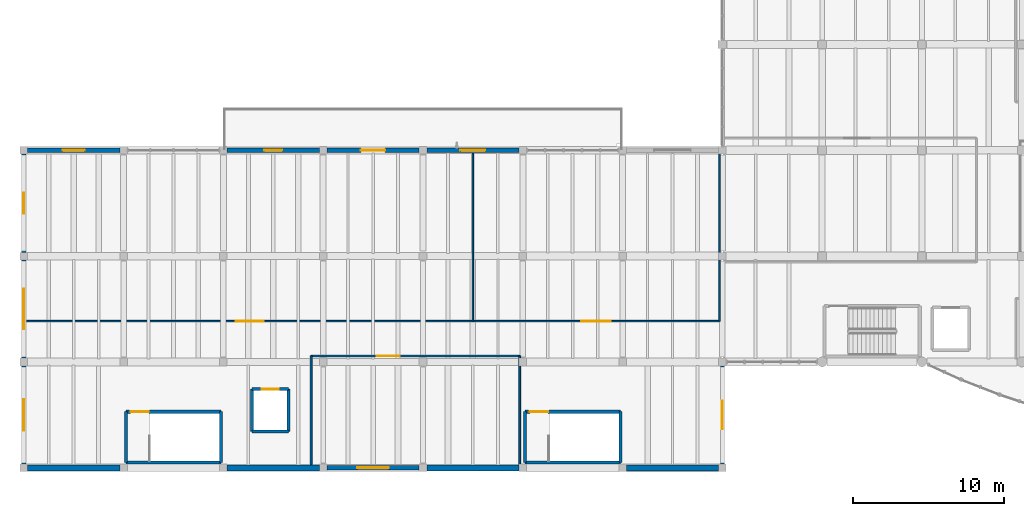
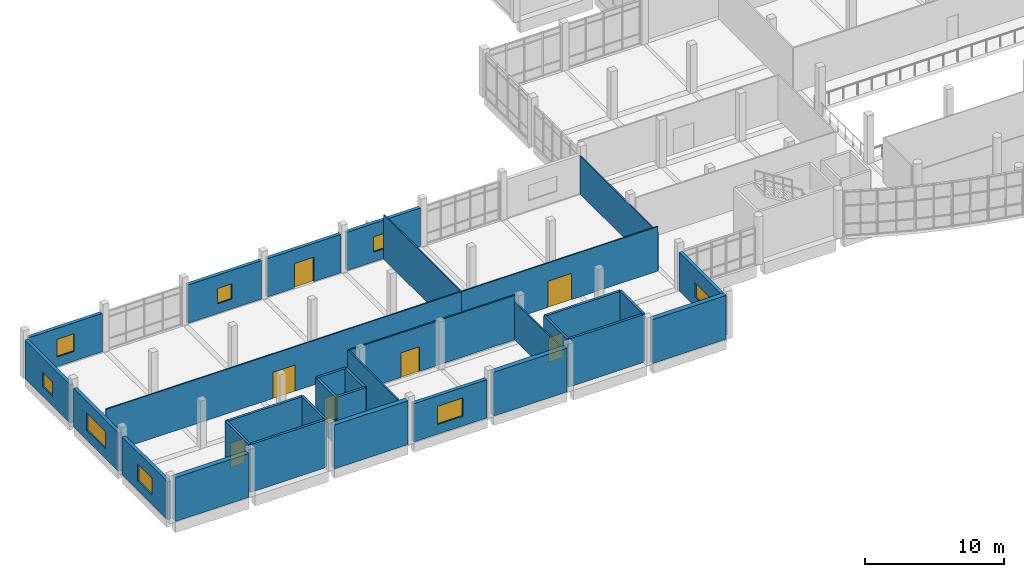
# One storey, part 47 of 65: 32 walls, 8 windows, 7 doors, 15 openings.
"""IFC4 building model written with IfcOpenShell, lengths in metres."""

from ifc_helpers import new_model, si_unit, direction, frame, frame_2d, origin, place, context, subcontext, project, spatial, rectangle, extrude, material, layer, layer_set, type_object, element, fill, save


model = new_model("IFC4")

# Units and contexts
model_context = context("Model", 3, precision=1e-05, world=origin(), true_north=direction((0.0, 1.0)))
body_context = subcontext(model_context, "Body", "Model", "MODEL_VIEW")
ifc_project = project(units=[si_unit("LENGTHUNIT", "METRE"), si_unit("AREAUNIT", "SQUARE_METRE"), si_unit("VOLUMEUNIT", "CUBIC_METRE"), si_unit("PLANEANGLEUNIT", "RADIAN"), si_unit("MASSUNIT", "GRAM", prefix="KILO")], contexts=[model_context])

# Site, building, storey
site_placement = place(None, origin())
site = spatial("IfcSite", under=ifc_project, at=site_placement, CompositionType="ELEMENT")
building_placement = place(site_placement, origin())
building = spatial("IfcBuilding", under=site, at=building_placement, Name="Ciguamira Faculty of Natural Sciences", CompositionType="ELEMENT")
storey_placement = place(building_placement, frame((0.0, 0.0, 12.60009765625)))
storey = spatial("IfcBuildingStorey", under=building, at=storey_placement, Name="L03", CompositionType="ELEMENT", Elevation=12.60009765625)

# Wall, opening, window
ifc_material_1 = material(Name="Precast concrete C40/50", Category="concrete")
ifc_layer_1 = layer(ifc_material_1, 0.280029296875, Name="Precast concrete C40/50")
ifc_layer_set_1 = layer_set([ifc_layer_1], Name="Precast concrete C40/50")
wall_type_1 = type_object("IfcWallType", Name="ExtWall_EW-01_280", PredefinedType="SOLIDWALL", material=ifc_layer_set_1)
wall_1_placement = place(storey_placement, frame((24.550048828125, 3.0, 0.0), z_axis=(0.0, 0.0, 1.0), x_axis=(1.0, 0.0, 0.0)))
wall_1 = element("IfcWall", 1, at=wall_1_placement, inside=storey, type_object=wall_type_1, Name="L03 exterior wall 0264", PredefinedType="SOLIDWALL", context=body_context, shape_type="SweptSolid", body=[
    extrude(rectangle(XDim=6.099853515625, YDim=0.280029296875, at=frame_2d((3.0498046875, 0.0))), origin(), (0.0, 0.0, 1.0), 3.364990234375),
])
opening_1_placement = place(wall_1_placement, frame((2.0, 0.0, 0.85009765625)))
opening_1 = element("IfcOpeningElement", 2, at=opening_1_placement, cuts=wall_1, Name="Opening WT-22", PredefinedType="OPENING", context=body_context, shape_type="SweptSolid", body=[
    extrude(rectangle(XDim=2.10009765625, YDim=1.60009765625, at=frame_2d((1.050048828125, 0.800048828125))), frame((0.0, 0.14990234375, 0.0), z_axis=(0.0, -1.0, 0.0), x_axis=(1.0, 0.0, 0.0)), (0.0, 0.0, 1.0), 0.300048828125),
])
ifc_material_2 = material(Name="Hurricane laminated solar glass", Category="glass")
window_type_1 = type_object("IfcWindowType", Name="Window_WT-22_2100x1600", PartitioningType="DOUBLE_PANEL_VERTICAL", PredefinedType="WINDOW", material=ifc_material_2)
window_1_placement = place(opening_1_placement, origin())
window_1 = element("IfcWindow", 3, at=window_1_placement, inside=storey, type_object=window_type_1, Name="L03 facade window 0167", OverallHeight=1.60009765625, OverallWidth=2.10009765625, PartitioningType="SINGLE_PANEL", PredefinedType="WINDOW", context=body_context, shape_type="SweptSolid", body=[
    extrude(rectangle(XDim=2.10009765625, YDim=1.60009765625, at=frame_2d((1.050048828125, 0.800048828125))), frame((0.0, 0.030029296875, 0.0), z_axis=(0.0, -1.0, 0.0), x_axis=(1.0, 0.0, 0.0)), (0.0, 0.0, 1.0), 0.06005859375),
])
fill(opening_1, window_1)

wall_2_placement = place(storey_placement, frame((4.75, 24.0, 0.0), z_axis=(0.0, 0.0, 1.0), x_axis=(1.0, 0.0, 0.0)))
wall_2 = element("IfcWall", 4, at=wall_2_placement, inside=storey, type_object=wall_type_1, Name="L03 exterior wall 0267", PredefinedType="SOLIDWALL", context=body_context, shape_type="SweptSolid", body=[
    extrude(rectangle(XDim=6.10009765625, YDim=0.280029296875, at=frame_2d((3.050048828125, 0.0))), origin(), (0.0, 0.0, 1.0), 3.364990234375),
])
opening_2_placement = place(wall_2_placement, frame((2.324951171875, 0.0, 0.85009765625)))
opening_2 = element("IfcOpeningElement", 5, at=opening_2_placement, cuts=wall_2, Name="Opening WT-38", PredefinedType="OPENING", context=body_context, shape_type="SweptSolid", body=[
    extrude(rectangle(XDim=1.449951171875, YDim=1.550048828125, at=frame_2d((0.72509765625, 0.77490234375))), frame((0.0, 0.14990234375, 0.0), z_axis=(0.0, -1.0, 0.0), x_axis=(1.0, 0.0, 0.0)), (0.0, 0.0, 1.0), 0.300048828125),
])
window_type_2 = type_object("IfcWindowType", Name="Window_WT-38_1450x1550", PartitioningType="DOUBLE_PANEL_VERTICAL", PredefinedType="WINDOW", material=ifc_material_2)
window_2_placement = place(opening_2_placement, origin())
window_2 = element("IfcWindow", 6, at=window_2_placement, inside=storey, type_object=window_type_2, Name="L03 facade window 0168", OverallHeight=1.550048828125, OverallWidth=1.449951171875, PartitioningType="SINGLE_PANEL", PredefinedType="WINDOW", context=body_context, shape_type="SweptSolid", body=[
    extrude(rectangle(XDim=1.449951171875, YDim=1.550048828125, at=frame_2d((0.72509765625, 0.77490234375))), frame((0.0, 0.030029296875, 0.0), z_axis=(0.0, -1.0, 0.0), x_axis=(1.0, 0.0, 0.0)), (0.0, 0.0, 1.0), 0.06005859375),
])
fill(opening_2, window_2)

wall_3_placement = place(storey_placement, frame((17.949951171875, 24.0, 0.0), z_axis=(0.0, 0.0, 1.0), x_axis=(1.0, 0.0, 0.0)))
wall_3 = element("IfcWall", 7, at=wall_3_placement, inside=storey, type_object=wall_type_1, Name="L03 exterior wall 0268", PredefinedType="SOLIDWALL", context=body_context, shape_type="SweptSolid", body=[
    extrude(rectangle(XDim=6.10009765625, YDim=0.280029296875, at=frame_2d((3.050048828125, 0.0))), origin(), (0.0, 0.0, 1.0), 3.364990234375),
])
opening_3_placement = place(wall_3_placement, frame((2.449951171875, 0.0, 0.85009765625)))
opening_3 = element("IfcOpeningElement", 8, at=opening_3_placement, cuts=wall_3, Name="Opening WT-01", PredefinedType="OPENING", context=body_context, shape_type="SweptSolid", body=[
    extrude(rectangle(XDim=1.199951171875, YDim=1.35009765625, at=frame_2d((0.60009765625, 0.675048828125))), frame((0.0, 0.14990234375, 0.0), z_axis=(0.0, -1.0, 0.0), x_axis=(1.0, 0.0, 0.0)), (0.0, 0.0, 1.0), 0.300048828125),
])
window_type_3 = type_object("IfcWindowType", Name="Window_WT-01_1200x1350", PartitioningType="DOUBLE_PANEL_VERTICAL", PredefinedType="WINDOW", material=ifc_material_2)
window_3_placement = place(opening_3_placement, origin())
window_3 = element("IfcWindow", 9, at=window_3_placement, inside=storey, type_object=window_type_3, Name="L03 facade window 0169", OverallHeight=1.35009765625, OverallWidth=1.199951171875, PartitioningType="SINGLE_PANEL", PredefinedType="WINDOW", context=body_context, shape_type="SweptSolid", body=[
    extrude(rectangle(XDim=1.199951171875, YDim=1.35009765625, at=frame_2d((0.60009765625, 0.675048828125))), frame((0.0, 0.030029296875, 0.0), z_axis=(0.0, -1.0, 0.0), x_axis=(1.0, 0.0, 0.0)), (0.0, 0.0, 1.0), 0.06005859375),
])
fill(opening_3, window_3)

# Wall, opening, door
wall_4_placement = place(storey_placement, frame((24.550048828125, 24.0, 0.0), z_axis=(0.0, 0.0, 1.0), x_axis=(1.0, 0.0, 0.0)))
wall_4 = element("IfcWall", 10, at=wall_4_placement, inside=storey, type_object=wall_type_1, Name="L03 exterior wall 0269", PredefinedType="SOLIDWALL", context=body_context, shape_type="SweptSolid", body=[
    extrude(rectangle(XDim=6.099853515625, YDim=0.280029296875, at=frame_2d((3.0498046875, 0.0))), origin(), (0.0, 0.0, 1.0), 3.364990234375),
])
opening_4_placement = place(wall_4_placement, frame((2.25, 0.0, 0.0)))
opening_4 = element("IfcOpeningElement", 11, at=opening_4_placement, cuts=wall_4, Name="Opening ED-05", PredefinedType="OPENING", context=body_context, shape_type="SweptSolid", body=[
    extrude(rectangle(XDim=1.60009765625, YDim=2.14990234375, at=frame_2d((0.800048828125, 1.074951171875))), frame((0.0, 0.14990234375, 0.0), z_axis=(0.0, -1.0, 0.0), x_axis=(1.0, 0.0, 0.0)), (0.0, 0.0, 1.0), 0.300048828125),
])
ifc_material_3 = material(Name="Terrace glazed double access door")
door_type_1 = type_object("IfcDoorType", Name="ExtDoor_ED-05_1600x2150", OperationType="NOTDEFINED", PredefinedType="DOOR", material=ifc_material_3)
door_1_placement = place(opening_4_placement, origin())
door_1 = element("IfcDoor", 12, at=door_1_placement, inside=storey, type_object=door_type_1, Name="Commons North Reading Terrace Door", OperationType="DOUBLE_DOOR_SINGLE_SWING", OverallHeight=2.14990234375, OverallWidth=1.60009765625, PredefinedType="DOOR", context=body_context, shape_type="SweptSolid", body=[
    extrude(rectangle(XDim=1.60009765625, YDim=2.14990234375, at=frame_2d((0.800048828125, 1.074951171875))), frame((0.0, 0.02490234375, 0.0), z_axis=(0.0, -1.0, 0.0), x_axis=(1.0, 0.0, 0.0)), (0.0, 0.0, 1.0), 0.050048828125),
])
fill(opening_4, door_1)

# Wall, opening, window
wall_5_placement = place(storey_placement, frame((31.14990234375, 24.0, 0.0), z_axis=(0.0, 0.0, 1.0), x_axis=(1.0, 0.0, 0.0)))
wall_5 = element("IfcWall", 13, at=wall_5_placement, inside=storey, type_object=wall_type_1, Name="L03 exterior wall 0270", PredefinedType="SOLIDWALL", context=body_context, shape_type="SweptSolid", body=[
    extrude(rectangle(XDim=6.10009765625, YDim=0.280029296875, at=frame_2d((3.050048828125, 0.0))), origin(), (0.0, 0.0, 1.0), 3.364990234375),
])
opening_5_placement = place(wall_5_placement, frame((2.22509765625, 0.0, 0.85009765625)))
opening_5 = element("IfcOpeningElement", 14, at=opening_5_placement, cuts=wall_5, Name="Opening WT-04", PredefinedType="OPENING", context=body_context, shape_type="SweptSolid", body=[
    extrude(rectangle(XDim=1.64990234375, YDim=1.35009765625, at=frame_2d((0.824951171875, 0.675048828125))), frame((0.0, 0.14990234375, 0.0), z_axis=(0.0, -1.0, 0.0), x_axis=(1.0, 0.0, 0.0)), (0.0, 0.0, 1.0), 0.300048828125),
])
window_type_4 = type_object("IfcWindowType", Name="Window_WT-04_1650x1350", PartitioningType="DOUBLE_PANEL_VERTICAL", PredefinedType="WINDOW", material=ifc_material_2)
window_4_placement = place(opening_5_placement, origin())
window_4 = element("IfcWindow", 15, at=window_4_placement, inside=storey, type_object=window_type_4, Name="L03 facade window 0170", OverallHeight=1.35009765625, OverallWidth=1.64990234375, PartitioningType="SINGLE_PANEL", PredefinedType="WINDOW", context=body_context, shape_type="SweptSolid", body=[
    extrude(rectangle(XDim=1.64990234375, YDim=1.35009765625, at=frame_2d((0.824951171875, 0.675048828125))), frame((0.0, 0.030029296875, 0.0), z_axis=(0.0, -1.0, 0.0), x_axis=(1.0, 0.0, 0.0)), (0.0, 0.0, 1.0), 0.06005859375),
])
fill(opening_5, window_4)

wall_6_placement = place(storey_placement, frame((4.5, 3.25, 0.0), z_axis=(0.0, 0.0, 1.0), x_axis=(0.0, 1.0, 0.0)))
wall_6 = element("IfcWall", 16, at=wall_6_placement, inside=storey, type_object=wall_type_1, Name="L03 exterior wall 0287", PredefinedType="SOLIDWALL", context=body_context, shape_type="SweptSolid", body=[
    extrude(rectangle(XDim=6.5, YDim=0.280029296875, at=frame_2d((3.25, 0.0))), origin(), (0.0, 0.0, 1.0), 3.364990234375),
])
opening_6_placement = place(wall_6_placement, frame((2.199951171875, 0.0, 0.85009765625)))
opening_6 = element("IfcOpeningElement", 17, at=opening_6_placement, cuts=wall_6, Name="Opening WT-11", PredefinedType="OPENING", context=body_context, shape_type="SweptSolid", body=[
    extrude(rectangle(XDim=2.10009765625, YDim=1.5, at=frame_2d((1.050048828125, 0.75))), frame((0.0, 0.14990234375, 0.0), z_axis=(0.0, -1.0, 0.0), x_axis=(1.0, 0.0, 0.0)), (0.0, 0.0, 1.0), 0.300048828125),
])
window_type_5 = type_object("IfcWindowType", Name="Window_WT-11_2100x1500", PartitioningType="DOUBLE_PANEL_VERTICAL", PredefinedType="WINDOW", material=ifc_material_2)
window_5_placement = place(opening_6_placement, origin())
window_5 = element("IfcWindow", 18, at=window_5_placement, inside=storey, type_object=window_type_5, Name="L03 facade window 0183", OverallHeight=1.5, OverallWidth=2.10009765625, PartitioningType="SINGLE_PANEL", PredefinedType="WINDOW", context=body_context, shape_type="SweptSolid", body=[
    extrude(rectangle(XDim=2.10009765625, YDim=1.5, at=frame_2d((1.050048828125, 0.75))), frame((0.0, 0.030029296875, 0.0), z_axis=(0.0, -1.0, 0.0), x_axis=(1.0, 0.0, 0.0)), (0.0, 0.0, 1.0), 0.06005859375),
])
fill(opening_6, window_5)

wall_7_placement = place(storey_placement, frame((4.5, 10.25, 0.0), z_axis=(0.0, 0.0, 1.0), x_axis=(0.0, 1.0, 0.0)))
wall_7 = element("IfcWall", 19, at=wall_7_placement, inside=storey, type_object=wall_type_1, Name="L03 exterior wall 0288", PredefinedType="SOLIDWALL", context=body_context, shape_type="SweptSolid", body=[
    extrude(rectangle(XDim=6.5, YDim=0.280029296875, at=frame_2d((3.25, 0.0))), origin(), (0.0, 0.0, 1.0), 3.364990234375),
])
opening_7_placement = place(wall_7_placement, frame((1.89990234375, 0.0, 0.85009765625)))
opening_7 = element("IfcOpeningElement", 20, at=opening_7_placement, cuts=wall_7, Name="Opening WT-13", PredefinedType="OPENING", context=body_context, shape_type="SweptSolid", body=[
    extrude(rectangle(XDim=2.699951171875, YDim=1.5, at=frame_2d((1.35009765625, 0.75))), frame((0.0, 0.14990234375, 0.0), z_axis=(0.0, -1.0, 0.0), x_axis=(1.0, 0.0, 0.0)), (0.0, 0.0, 1.0), 0.300048828125),
])
window_type_6 = type_object("IfcWindowType", Name="Window_WT-13_2700x1500", PartitioningType="DOUBLE_PANEL_VERTICAL", PredefinedType="WINDOW", material=ifc_material_2)
window_6_placement = place(opening_7_placement, origin())
window_6 = element("IfcWindow", 21, at=window_6_placement, inside=storey, type_object=window_type_6, Name="L03 facade window 0184", OverallHeight=1.5, OverallWidth=2.699951171875, PartitioningType="SINGLE_PANEL", PredefinedType="WINDOW", context=body_context, shape_type="SweptSolid", body=[
    extrude(rectangle(XDim=2.699951171875, YDim=1.5, at=frame_2d((1.35009765625, 0.75))), frame((0.0, 0.030029296875, 0.0), z_axis=(0.0, -1.0, 0.0), x_axis=(1.0, 0.0, 0.0)), (0.0, 0.0, 1.0), 0.06005859375),
])
fill(opening_7, window_6)

wall_8_placement = place(storey_placement, frame((4.5, 17.25, 0.0), z_axis=(0.0, 0.0, 1.0), x_axis=(0.0, 1.0, 0.0)))
wall_8 = element("IfcWall", 22, at=wall_8_placement, inside=storey, type_object=wall_type_1, Name="L03 exterior wall 0289", PredefinedType="SOLIDWALL", context=body_context, shape_type="SweptSolid", body=[
    extrude(rectangle(XDim=6.5, YDim=0.280029296875, at=frame_2d((3.25, 0.0))), origin(), (0.0, 0.0, 1.0), 3.364990234375),
])
opening_8_placement = place(wall_8_placement, frame((2.550048828125, 0.0, 0.85009765625)))
opening_8 = element("IfcOpeningElement", 23, at=opening_8_placement, cuts=wall_8, Name="Opening WT-15", PredefinedType="OPENING", context=body_context, shape_type="SweptSolid", body=[
    extrude(rectangle(XDim=1.39990234375, YDim=1.25, at=frame_2d((0.699951171875, 0.625))), frame((0.0, 0.14990234375, 0.0), z_axis=(0.0, -1.0, 0.0), x_axis=(1.0, 0.0, 0.0)), (0.0, 0.0, 1.0), 0.300048828125),
])
window_type_7 = type_object("IfcWindowType", Name="Window_WT-15_1400x1250", PartitioningType="DOUBLE_PANEL_VERTICAL", PredefinedType="WINDOW", material=ifc_material_2)
window_7_placement = place(opening_8_placement, origin())
window_7 = element("IfcWindow", 24, at=window_7_placement, inside=storey, type_object=window_type_7, Name="L03 facade window 0185", OverallHeight=1.25, OverallWidth=1.39990234375, PartitioningType="SINGLE_PANEL", PredefinedType="WINDOW", context=body_context, shape_type="SweptSolid", body=[
    extrude(rectangle(XDim=1.39990234375, YDim=1.25, at=frame_2d((0.699951171875, 0.625))), frame((0.0, 0.030029296875, 0.0), z_axis=(0.0, -1.0, 0.0), x_axis=(1.0, 0.0, 0.0)), (0.0, 0.0, 1.0), 0.06005859375),
])
fill(opening_8, window_7)

wall_9_placement = place(storey_placement, frame((50.699951171875, 3.25, 0.0), z_axis=(0.0, 0.0, 1.0), x_axis=(0.0, 1.0, 0.0)))
wall_9 = element("IfcWall", 25, at=wall_9_placement, inside=storey, type_object=wall_type_1, Name="L03 exterior wall 0290", PredefinedType="SOLIDWALL", context=body_context, shape_type="SweptSolid", body=[
    extrude(rectangle(XDim=6.5, YDim=0.280029296875, at=frame_2d((3.25, 0.0))), origin(), (0.0, 0.0, 1.0), 3.364990234375),
])
opening_9_placement = place(wall_9_placement, frame((2.300048828125, 0.0, 0.85009765625)))
opening_9 = element("IfcOpeningElement", 26, at=opening_9_placement, cuts=wall_9, Name="Opening WT-17", PredefinedType="OPENING", context=body_context, shape_type="SweptSolid", body=[
    extrude(rectangle(XDim=1.89990234375, YDim=1.25, at=frame_2d((0.949951171875, 0.625))), frame((0.0, 0.14990234375, 0.0), z_axis=(0.0, -1.0, 0.0), x_axis=(1.0, 0.0, 0.0)), (0.0, 0.0, 1.0), 0.300048828125),
])
window_type_8 = type_object("IfcWindowType", Name="Window_WT-17_1900x1250", PartitioningType="DOUBLE_PANEL_VERTICAL", PredefinedType="WINDOW", material=ifc_material_2)
window_8_placement = place(opening_9_placement, origin())
window_8 = element("IfcWindow", 27, at=window_8_placement, inside=storey, type_object=window_type_8, Name="L03 facade window 0186", OverallHeight=1.25, OverallWidth=1.89990234375, PartitioningType="SINGLE_PANEL", PredefinedType="WINDOW", context=body_context, shape_type="SweptSolid", body=[
    extrude(rectangle(XDim=1.89990234375, YDim=1.25, at=frame_2d((0.949951171875, 0.625))), frame((0.0, 0.030029296875, 0.0), z_axis=(0.0, -1.0, 0.0), x_axis=(1.0, 0.0, 0.0)), (0.0, 0.0, 1.0), 0.06005859375),
])
fill(opening_9, window_8)

# Walls
ifc_material_4 = material(Name="Concrete C40/50", Category="concrete")
ifc_layer_2 = layer(ifc_material_4, 0.39990234375, Name="Concrete C40/50")
ifc_layer_set_2 = layer_set([ifc_layer_2], Name="Concrete C40/50")
wall_type_2 = type_object("IfcWallType", Name="ExtWall_RW-02_400", PredefinedType="SHEAR", material=ifc_layer_set_2)
for number, where, z_axis, x_axis, name in (
    (28, (4.75, 3.0, 0.0), (0.0, 0.0, 1.0), (1.0, 0.0, 0.0), "L03 exterior wall 0262"),
    (29, (17.949951171875, 3.0, 0.0), (0.0, 0.0, 1.0), (1.0, 0.0, 0.0), "L03 exterior wall 0263"),
    (30, (31.14990234375, 3.0, 0.0), (0.0, 0.0, 1.0), (1.0, 0.0, 0.0), "L03 exterior wall 0265"),
):
    element("IfcWall", number, at=place(storey_placement, frame(where, z_axis=z_axis, x_axis=x_axis)), inside=storey, type_object=wall_type_2, Name=name, PredefinedType="SHEAR", context=body_context, shape_type="SweptSolid", body=[
        extrude(rectangle(XDim=6.10009765625, YDim=0.39990234375, at=frame_2d((3.050048828125, 0.0))), origin(), (0.0, 0.0, 1.0), 3.849853515625),
    ])
wall_10_placement = place(storey_placement, frame((44.35009765625, 3.0, 0.0), z_axis=(0.0, 0.0, 1.0), x_axis=(1.0, 0.0, 0.0)))
element("IfcWall", 31, at=wall_10_placement, inside=storey, type_object=wall_type_2, Name="L03 exterior wall 0266", PredefinedType="SHEAR", context=body_context, shape_type="SweptSolid", body=[
    extrude(rectangle(XDim=6.099853515625, YDim=0.39990234375, at=frame_2d((3.0498046875, 0.0))), origin(), (0.0, 0.0, 1.0), 3.849853515625),
])
ifc_layer_3 = layer(ifc_material_4, 0.199951171875, Name="Concrete C40/50")
ifc_layer_set_3 = layer_set([ifc_layer_3], Name="Concrete C40/50")
wall_type_3 = type_object("IfcWallType", Name="IntWall_CW-S20_200", PredefinedType="SHEAR", material=ifc_layer_set_3)
wall_11_placement = place(storey_placement, frame((11.25, 3.35009765625, 0.0), z_axis=(0.0, 0.0, 1.0), x_axis=(1.0, 0.0, 0.0)))
element("IfcWall", 32, at=wall_11_placement, inside=storey, type_object=wall_type_3, Name="L03 ST-C1 core shear wall south", PredefinedType="SHEAR", context=body_context, shape_type="SweptSolid", body=[
    extrude(rectangle(XDim=6.300048828125, YDim=0.199951171875, at=frame_2d((3.14990234375, 0.0))), origin(), (0.0, 0.0, 1.0), 4.199951171875),
])

# Wall, opening, door
wall_12_placement = place(storey_placement, frame((11.25, 6.7099609375, 0.0), z_axis=(0.0, 0.0, 1.0), x_axis=(1.0, 0.0, 0.0)))
wall_12 = element("IfcWall", 33, at=wall_12_placement, inside=storey, type_object=wall_type_3, Name="L03 ST-C1 core shear wall north", PredefinedType="SHEAR", context=body_context, shape_type="SweptSolid", body=[
    extrude(rectangle(XDim=6.300048828125, YDim=0.199951171875, at=frame_2d((3.14990234375, 0.0))), origin(), (0.0, 0.0, 1.0), 4.199951171875),
])
opening_10_placement = place(wall_12_placement, frame((0.320068359375, 0.0, 0.0)))
opening_10 = element("IfcOpeningElement", 34, at=opening_10_placement, cuts=wall_12, Name="Opening ID-14", PredefinedType="OPENING", context=body_context, shape_type="SweptSolid", body=[
    extrude(rectangle(XDim=1.199951171875, YDim=2.14990234375, at=frame_2d((0.60009765625, 1.074951171875))), frame((0.0, 0.10986328125, 0.0), z_axis=(0.0, -1.0, 0.0), x_axis=(1.0, 0.0, 0.0)), (0.0, 0.0, 1.0), 0.219970703125),
])
ifc_material_5 = material(Name="Protected exit stair fire door")
door_type_2 = type_object("IfcDoorType", Name="IntDoor_ID-14_1200x2150", OperationType="NOTDEFINED", PredefinedType="DOOR", material=ifc_material_5)
door_2_placement = place(opening_10_placement, frame((1.199951171875, 0.0, 0.0), z_axis=(0.0, 0.0, 1.0), x_axis=(-1.0, 0.0, 0.0)))
door_2 = element("IfcDoor", 35, at=door_2_placement, inside=storey, type_object=door_type_2, Name="L03 ST-C1 exit stair fire door", OperationType="SINGLE_SWING_LEFT", OverallHeight=2.14990234375, OverallWidth=1.199951171875, PredefinedType="DOOR", context=body_context, shape_type="SweptSolid", body=[
    extrude(rectangle(XDim=1.199951171875, YDim=2.14990234375, at=frame_2d((0.60009765625, 1.074951171875))), frame((0.0, 0.02490234375, 0.0), z_axis=(0.0, -1.0, 0.0), x_axis=(1.0, 0.0, 0.0)), (0.0, 0.0, 1.0), 0.050048828125),
])
fill(opening_10, door_2)

# Walls
for number, where, z_axis, x_axis, name in (
    (36, (11.25, 3.35009765625, 0.0), (0.0, 0.0, 1.0), (0.0, 1.0, 0.0), "L03 ST-C1 core shear wall west"),
    (37, (17.550048828125, 3.35009765625, 0.0), (0.0, 0.0, 1.0), (0.0, 1.0, 0.0), "L03 ST-C1 core shear wall east"),
):
    element("IfcWall", number, at=place(storey_placement, frame(where, z_axis=z_axis, x_axis=x_axis)), inside=storey, type_object=wall_type_3, Name=name, PredefinedType="SHEAR", context=body_context, shape_type="SweptSolid", body=[
        extrude(rectangle(XDim=3.35986328125, YDim=0.199951171875, at=frame_2d((1.679931640625, 0.0))), origin(), (0.0, 0.0, 1.0), 4.199951171875),
    ])
wall_13_placement = place(storey_placement, frame((37.64990234375, 3.35009765625, 0.0), z_axis=(0.0, 0.0, 1.0), x_axis=(1.0, 0.0, 0.0)))
element("IfcWall", 38, at=wall_13_placement, inside=storey, type_object=wall_type_3, Name="L03 ST-C2 core shear wall south", PredefinedType="SHEAR", context=body_context, shape_type="SweptSolid", body=[
    extrude(rectangle(XDim=6.300048828125, YDim=0.199951171875, at=frame_2d((3.14990234375, 0.0))), origin(), (0.0, 0.0, 1.0), 4.199951171875),
])

# Wall, opening, door
wall_14_placement = place(storey_placement, frame((37.64990234375, 6.7099609375, 0.0), z_axis=(0.0, 0.0, 1.0), x_axis=(1.0, 0.0, 0.0)))
wall_14 = element("IfcWall", 39, at=wall_14_placement, inside=storey, type_object=wall_type_3, Name="L03 ST-C2 core shear wall north", PredefinedType="SHEAR", context=body_context, shape_type="SweptSolid", body=[
    extrude(rectangle(XDim=6.300048828125, YDim=0.199951171875, at=frame_2d((3.14990234375, 0.0))), origin(), (0.0, 0.0, 1.0), 4.199951171875),
])
opening_11_placement = place(wall_14_placement, frame((0.320068359375, 0.0, 0.0)))
opening_11 = element("IfcOpeningElement", 40, at=opening_11_placement, cuts=wall_14, Name="Opening ID-14", PredefinedType="OPENING", context=body_context, shape_type="SweptSolid", body=[
    extrude(rectangle(XDim=1.199951171875, YDim=2.14990234375, at=frame_2d((0.60009765625, 1.074951171875))), frame((0.0, 0.10986328125, 0.0), z_axis=(0.0, -1.0, 0.0), x_axis=(1.0, 0.0, 0.0)), (0.0, 0.0, 1.0), 0.219970703125),
])
door_3_placement = place(opening_11_placement, frame((1.199951171875, 0.0, 0.0), z_axis=(0.0, 0.0, 1.0), x_axis=(-1.0, 0.0, 0.0)))
door_3 = element("IfcDoor", 41, at=door_3_placement, inside=storey, type_object=door_type_2, Name="L03 ST-C2 exit stair fire door", OperationType="SINGLE_SWING_LEFT", OverallHeight=2.14990234375, OverallWidth=1.199951171875, PredefinedType="DOOR", context=body_context, shape_type="SweptSolid", body=[
    extrude(rectangle(XDim=1.199951171875, YDim=2.14990234375, at=frame_2d((0.60009765625, 1.074951171875))), frame((0.0, 0.02490234375, 0.0), z_axis=(0.0, -1.0, 0.0), x_axis=(1.0, 0.0, 0.0)), (0.0, 0.0, 1.0), 0.050048828125),
])
fill(opening_11, door_3)

# Walls
for number, where, z_axis, x_axis, name in (
    (42, (37.64990234375, 3.35009765625, 0.0), (0.0, 0.0, 1.0), (0.0, 1.0, 0.0), "L03 ST-C2 core shear wall west"),
    (43, (43.949951171875, 3.35009765625, 0.0), (0.0, 0.0, 1.0), (0.0, 1.0, 0.0), "L03 ST-C2 core shear wall east"),
):
    element("IfcWall", number, at=place(storey_placement, frame(where, z_axis=z_axis, x_axis=x_axis)), inside=storey, type_object=wall_type_3, Name=name, PredefinedType="SHEAR", context=body_context, shape_type="SweptSolid", body=[
        extrude(rectangle(XDim=3.35986328125, YDim=0.199951171875, at=frame_2d((1.679931640625, 0.0))), origin(), (0.0, 0.0, 1.0), 4.199951171875),
    ])
wall_15_placement = place(storey_placement, frame((19.60009765625, 5.39990234375, 0.0), z_axis=(0.0, 0.0, 1.0), x_axis=(1.0, 0.0, 0.0)))
element("IfcWall", 44, at=wall_15_placement, inside=storey, type_object=wall_type_3, Name="L03 EL-P2 hoistway wall south", PredefinedType="SHEAR", context=body_context, shape_type="SweptSolid", body=[
    extrude(rectangle(XDim=2.39990234375, YDim=0.199951171875, at=frame_2d((1.199951171875, 0.0))), origin(), (0.0, 0.0, 1.0), 4.199951171875),
])

# Wall, opening, door
wall_16_placement = place(storey_placement, frame((19.60009765625, 8.199951171875, 0.0), z_axis=(0.0, 0.0, 1.0), x_axis=(1.0, 0.0, 0.0)))
wall_16 = element("IfcWall", 45, at=wall_16_placement, inside=storey, type_object=wall_type_3, Name="L03 EL-P2 hoistway wall north", PredefinedType="SHEAR", context=body_context, shape_type="SweptSolid", body=[
    extrude(rectangle(XDim=2.39990234375, YDim=0.199951171875, at=frame_2d((1.199951171875, 0.0))), origin(), (0.0, 0.0, 1.0), 4.199951171875),
])
opening_12_placement = place(wall_16_placement, frame((0.64990234375, 0.0, 0.0)))
opening_12 = element("IfcOpeningElement", 46, at=opening_12_placement, cuts=wall_16, Name="Opening LD-01", PredefinedType="OPENING", context=body_context, shape_type="SweptSolid", body=[
    extrude(rectangle(XDim=1.10009765625, YDim=2.14990234375, at=frame_2d((0.550048828125, 1.074951171875))), frame((0.0, 0.10986328125, 0.0), z_axis=(0.0, -1.0, 0.0), x_axis=(1.0, 0.0, 0.0)), (0.0, 0.0, 1.0), 0.219970703125),
])
ifc_material_6 = material(Name="Passenger elevator sliding landing door")
door_type_3 = type_object("IfcDoorType", Name="LiftLandingDoor_LD-01_1100x2150", OperationType="SLIDING_TO_LEFT", PredefinedType="DOOR", material=ifc_material_6)
door_4_placement = place(opening_12_placement, origin())
door_4 = element("IfcDoor", 47, at=door_4_placement, inside=storey, type_object=door_type_3, Name="L03 EL-P2 elevator landing sliding door", OperationType="SLIDING_TO_LEFT", OverallHeight=2.14990234375, OverallWidth=1.10009765625, PredefinedType="DOOR", context=body_context, shape_type="SweptSolid", body=[
    extrude(rectangle(XDim=1.10009765625, YDim=2.14990234375, at=frame_2d((0.550048828125, 1.074951171875))), frame((0.0, 0.02490234375, 0.0), z_axis=(0.0, -1.0, 0.0), x_axis=(1.0, 0.0, 0.0)), (0.0, 0.0, 1.0), 0.050048828125),
])
fill(opening_12, door_4)

# Walls
for number, where, z_axis, x_axis, name in (
    (48, (19.60009765625, 5.39990234375, 0.0), (0.0, 0.0, 1.0), (0.0, 1.0, 0.0), "L03 EL-P2 hoistway wall west"),
    (49, (22.0, 5.39990234375, 0.0), (0.0, 0.0, 1.0), (0.0, 1.0, 0.0), "L03 EL-P2 hoistway wall east"),
):
    element("IfcWall", number, at=place(storey_placement, frame(where, z_axis=z_axis, x_axis=x_axis)), inside=storey, type_object=wall_type_3, Name=name, PredefinedType="SHEAR", context=body_context, shape_type="SweptSolid", body=[
        extrude(rectangle(XDim=2.800048828125, YDim=0.199951171875, at=frame_2d((1.39990234375, 0.0))), origin(), (0.0, 0.0, 1.0), 4.199951171875),
    ])

# Wall, opening, door
ifc_material_7 = material(Name="Fire-rated gypsum partition")
ifc_layer_4 = layer(ifc_material_7, 0.10009765625, Name="Fire-rated gypsum partition")
ifc_layer_set_4 = layer_set([ifc_layer_4], Name="Fire-rated gypsum partition")
wall_type_4 = type_object("IfcWallType", Name="IntWall_IW-A10_100", PredefinedType="PARTITIONING", material=ifc_layer_set_4)
wall_17_placement = place(storey_placement, frame((4.699951171875, 12.699951171875, 0.0), z_axis=(0.0, 0.0, 1.0), x_axis=(1.0, 0.0, 0.0)))
wall_17 = element("IfcWall", 50, at=wall_17_placement, inside=storey, type_object=wall_type_4, Name="L03 Barrel-Vaulted Grand Science Reading Hall partition south", PredefinedType="PARTITIONING", context=body_context, shape_type="SweptSolid", body=[
    extrude(rectangle(XDim=29.5, YDim=0.10009765625, at=frame_2d((14.75, 0.0))), origin(), (0.0, 0.0, 1.0), 3.89990234375),
])
opening_13_placement = place(wall_17_placement, frame((13.824951171875, 0.0, 0.0)))
opening_13 = element("IfcOpeningElement", 51, at=opening_13_placement, cuts=wall_17, Name="Opening ID-12", PredefinedType="OPENING", context=body_context, shape_type="SweptSolid", body=[
    extrude(rectangle(XDim=1.85009765625, YDim=2.300048828125, at=frame_2d((0.925048828125, 1.14990234375))), frame((0.0, 0.06005859375, 0.0), z_axis=(0.0, -1.0, 0.0), x_axis=(1.0, 0.0, 0.0)), (0.0, 0.0, 1.0), 0.1201171875),
])
ifc_material_8 = material(Name="Lecture auditorium acoustic double door")
door_type_4 = type_object("IfcDoorType", Name="IntDoor_ID-12_1850x2300", OperationType="NOTDEFINED", PredefinedType="DOOR", material=ifc_material_8)
door_5_placement = place(opening_13_placement, origin())
door_5 = element("IfcDoor", 52, at=door_5_placement, inside=storey, type_object=door_type_4, Name="L03 Barrel-Vaulted Grand Science Reading Hall door", OperationType="SINGLE_SWING_LEFT", OverallHeight=2.300048828125, OverallWidth=1.85009765625, PredefinedType="DOOR", context=body_context, shape_type="SweptSolid", body=[
    extrude(rectangle(XDim=1.85009765625, YDim=2.300048828125, at=frame_2d((0.925048828125, 1.14990234375))), frame((0.0, 0.02490234375, 0.0), z_axis=(0.0, -1.0, 0.0), x_axis=(1.0, 0.0, 0.0)), (0.0, 0.0, 1.0), 0.050048828125),
])
fill(opening_13, door_5)

# Wall
wall_18_placement = place(storey_placement, frame((34.199951171875, 12.699951171875, 0.0), z_axis=(0.0, 0.0, 1.0), x_axis=(0.0, 1.0, 0.0)))
element("IfcWall", 53, at=wall_18_placement, inside=storey, type_object=wall_type_4, Name="L03 Barrel-Vaulted Grand Science Reading Hall partition east", PredefinedType="PARTITIONING", context=body_context, shape_type="SweptSolid", body=[
    extrude(rectangle(XDim=11.10009765625, YDim=0.10009765625, at=frame_2d((5.550048828125, 0.0))), origin(), (0.0, 0.0, 1.0), 3.89990234375),
])

# Wall, opening, door
wall_19_placement = place(storey_placement, frame((34.199951171875, 12.699951171875, 0.0), z_axis=(0.0, 0.0, 1.0), x_axis=(1.0, 0.0, 0.0)))
wall_19 = element("IfcWall", 54, at=wall_19_placement, inside=storey, type_object=wall_type_4, Name="L03 Vaulted Terrace Study Lounge partition south", PredefinedType="PARTITIONING", context=body_context, shape_type="SweptSolid", body=[
    extrude(rectangle(XDim=16.300048828125, YDim=0.10009765625, at=frame_2d((8.14990234375, 0.0))), origin(), (0.0, 0.0, 1.0), 3.89990234375),
])
opening_14_placement = place(wall_19_placement, frame((7.175048828125, 0.0, 0.0)))
opening_14 = element("IfcOpeningElement", 55, at=opening_14_placement, cuts=wall_19, Name="Opening ID-13", PredefinedType="OPENING", context=body_context, shape_type="SweptSolid", body=[
    extrude(rectangle(XDim=1.949951171875, YDim=2.300048828125, at=frame_2d((0.97509765625, 1.14990234375))), frame((0.0, 0.06005859375, 0.0), z_axis=(0.0, -1.0, 0.0), x_axis=(1.0, 0.0, 0.0)), (0.0, 0.0, 1.0), 0.1201171875),
])
ifc_material_9 = material(Name="Atrium concourse double fire door")
door_type_5 = type_object("IfcDoorType", Name="IntDoor_ID-13_1950x2300", OperationType="NOTDEFINED", PredefinedType="DOOR", material=ifc_material_9)
door_6_placement = place(opening_14_placement, origin())
door_6 = element("IfcDoor", 56, at=door_6_placement, inside=storey, type_object=door_type_5, Name="L03 Vaulted Terrace Study Lounge door", OperationType="SINGLE_SWING_RIGHT", OverallHeight=2.300048828125, OverallWidth=1.949951171875, PredefinedType="DOOR", context=body_context, shape_type="SweptSolid", body=[
    extrude(rectangle(XDim=1.949951171875, YDim=2.300048828125, at=frame_2d((0.97509765625, 1.14990234375))), frame((0.0, 0.02490234375, 0.0), z_axis=(0.0, -1.0, 0.0), x_axis=(1.0, 0.0, 0.0)), (0.0, 0.0, 1.0), 0.050048828125),
])
fill(opening_14, door_6)

# Wall
wall_20_placement = place(storey_placement, frame((50.5, 12.699951171875, 0.0), z_axis=(0.0, 0.0, 1.0), x_axis=(0.0, 1.0, 0.0)))
element("IfcWall", 57, at=wall_20_placement, inside=storey, type_object=wall_type_4, Name="L03 Vaulted Terrace Study Lounge partition east", PredefinedType="PARTITIONING", context=body_context, shape_type="SweptSolid", body=[
    extrude(rectangle(XDim=11.10009765625, YDim=0.10009765625, at=frame_2d((5.550048828125, 0.0))), origin(), (0.0, 0.0, 1.0), 3.364990234375),
])

# Wall, opening, door
ifc_material_10 = material(Name="Acoustic double-stud gypsum partition")
ifc_layer_5 = layer(ifc_material_10, 0.1201171875, Name="Acoustic double-stud gypsum partition")
ifc_layer_set_5 = layer_set([ifc_layer_5], Name="Acoustic double-stud gypsum partition")
wall_type_5 = type_object("IfcWallType", Name="IntWall_IW-A12_120", PredefinedType="PARTITIONING", material=ifc_layer_set_5)
wall_21_placement = place(storey_placement, frame((23.5, 10.39990234375, 0.0), z_axis=(0.0, 0.0, 1.0), x_axis=(1.0, 0.0, 0.0)))
wall_21 = element("IfcWall", 58, at=wall_21_placement, inside=storey, type_object=wall_type_5, Name="L03 History of Science Seminar Room partition north", PredefinedType="PARTITIONING", context=body_context, shape_type="SweptSolid", body=[
    extrude(rectangle(XDim=13.800048828125, YDim=0.1201171875, at=frame_2d((6.89990234375, 0.0))), origin(), (0.0, 0.0, 1.0), 3.89990234375),
])
opening_15_placement = place(wall_21_placement, frame((4.35009765625, 0.0, 0.0)))
opening_15 = element("IfcOpeningElement", 59, at=opening_15_placement, cuts=wall_21, Name="Opening ID-17", PredefinedType="OPENING", context=body_context, shape_type="SweptSolid", body=[
    extrude(rectangle(XDim=1.5, YDim=2.14990234375, at=frame_2d((0.75, 1.074951171875))), frame((0.0, 0.070068359375, 0.0), z_axis=(0.0, -1.0, 0.0), x_axis=(1.0, 0.0, 0.0)), (0.0, 0.0, 1.0), 0.14013671875),
])
ifc_material_11 = material(Name="Plant room double steel door", Category="steel")
door_type_6 = type_object("IfcDoorType", Name="IntDoor_ID-17_1500x2150", OperationType="NOTDEFINED", PredefinedType="DOOR", material=ifc_material_11)
door_7_placement = place(opening_15_placement, frame((1.5, 0.0, 0.0), z_axis=(0.0, 0.0, 1.0), x_axis=(-1.0, 0.0, 0.0)))
door_7 = element("IfcDoor", 60, at=door_7_placement, inside=storey, type_object=door_type_6, Name="L03 History of Science Seminar Room door", OperationType="SINGLE_SWING_LEFT", OverallHeight=2.14990234375, OverallWidth=1.5, PredefinedType="DOOR", context=body_context, shape_type="SweptSolid", body=[
    extrude(rectangle(XDim=1.5, YDim=2.14990234375, at=frame_2d((0.75, 1.074951171875))), frame((0.0, 0.02490234375, 0.0), z_axis=(0.0, -1.0, 0.0), x_axis=(1.0, 0.0, 0.0)), (0.0, 0.0, 1.0), 0.050048828125),
])
fill(opening_15, door_7)

# Walls
wall_22_placement = place(storey_placement, frame((23.5, 3.199951171875, 0.0), z_axis=(0.0, 0.0, 1.0), x_axis=(0.0, 1.0, 0.0)))
element("IfcWall", 61, at=wall_22_placement, inside=storey, type_object=wall_type_5, Name="L03 History of Science Seminar Room partition west", PredefinedType="PARTITIONING", context=body_context, shape_type="SweptSolid", body=[
    extrude(rectangle(XDim=7.199951171875, YDim=0.1201171875, at=frame_2d((3.60009765625, 0.0))), origin(), (0.0, 0.0, 1.0), 3.89990234375),
])
wall_23_placement = place(storey_placement, frame((37.300048828125, 3.199951171875, 0.0), z_axis=(0.0, 0.0, 1.0), x_axis=(0.0, 1.0, 0.0)))
element("IfcWall", 62, at=wall_23_placement, inside=storey, type_object=wall_type_5, Name="L03 History of Science Seminar Room partition east", PredefinedType="PARTITIONING", context=body_context, shape_type="SweptSolid", body=[
    extrude(rectangle(XDim=7.199951171875, YDim=0.1201171875, at=frame_2d((3.60009765625, 0.0))), origin(), (0.0, 0.0, 1.0), 3.364990234375),
])

save(model, "model.ifc")
